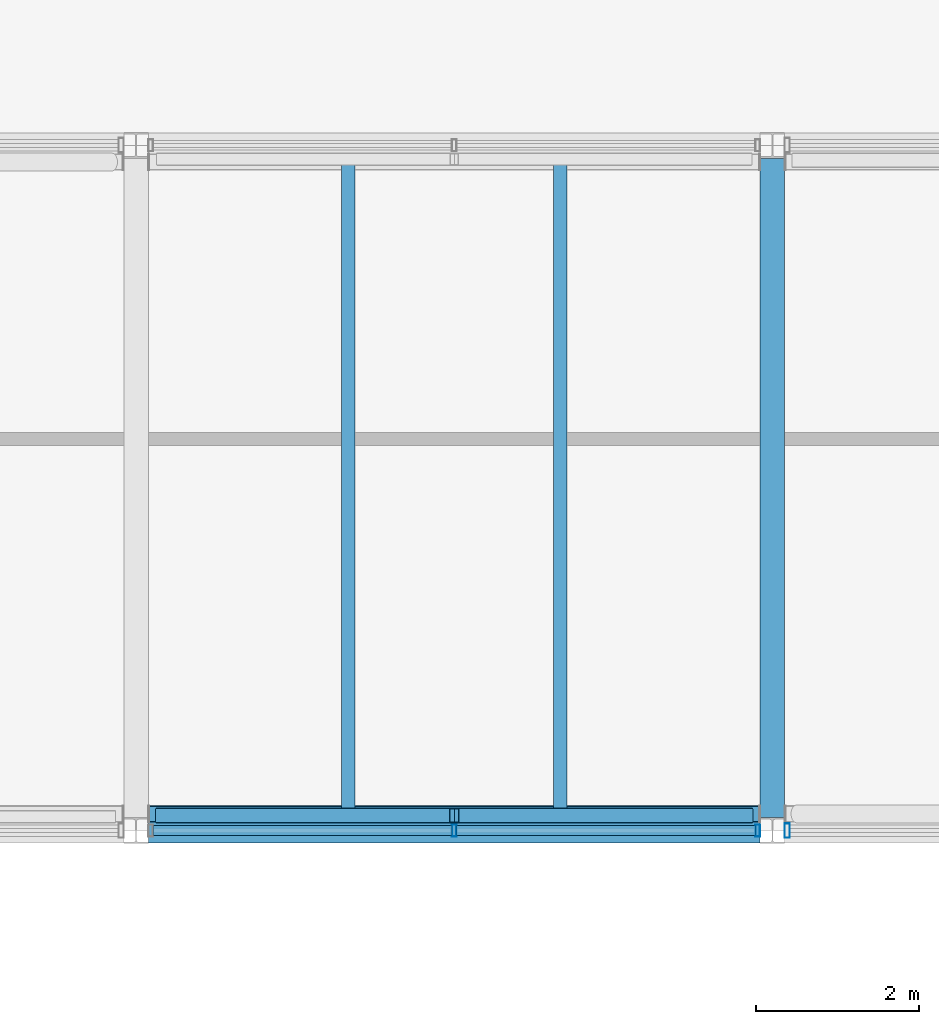
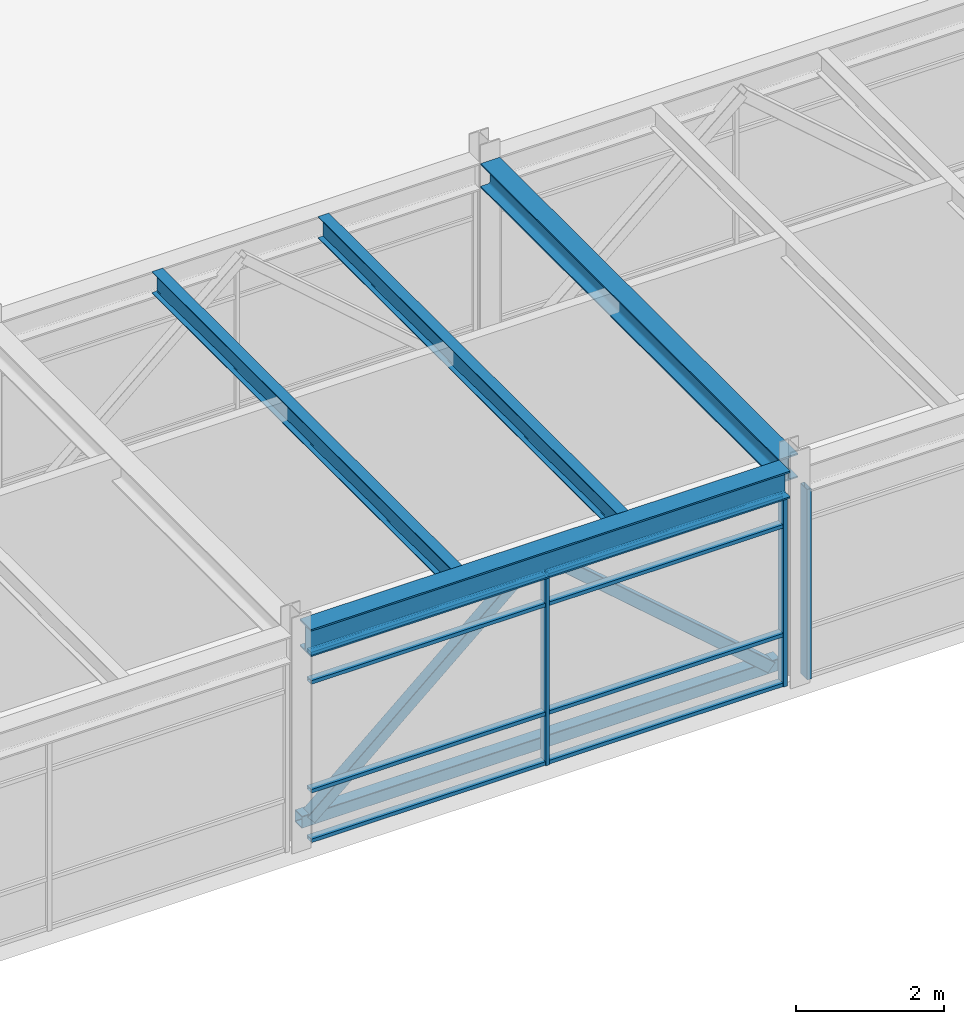
# One storey, part 15 of 72: 14 members, 4 beams, 2 elements without a shape of their own.
"""IFC4 building model written with IfcOpenShell, lengths in metres."""

import ifcopenshell
import ifcopenshell.guid

model = None  # the IFC model being written
_history = None  # IfcOwnerHistory: only IFC2X3 demands one
_inside = {}  # id of a spatial element -> (the spatial element, [elements in it])
_under = {}  # id of a project, library or spatial element -> (it, [spatial elements below it])
_declared = {}  # id of a project -> (the project, [libraries it declares])
_typed = {}  # id of a type object -> (the type object, [elements of that type])
_made_of = {}  # id of a material, layer set ... -> (it, [elements and type objects made of it])


def new_model(schema):
    """Start an empty IFC model of exactly this schema.

    Asked for "IFC4X3", IfcOpenShell would pick the latest addendum, in which some entities
    have other attributes; the version numbers below select the first issue.
    IFC2X3 requires an IfcOwnerHistory on every rooted entity: one is made here for all.
    """
    global model, _history
    if schema == "IFC4X3":
        model = ifcopenshell.file(schema_version=(4, 3, 0, 0))
    else:
        model = ifcopenshell.file(schema=schema)
    _inside.clear()
    _under.clear()
    _declared.clear()
    _typed.clear()
    _made_of.clear()
    _history = None
    if model.schema == "IFC2X3":
        org = make("IfcOrganization", Name="unknown")
        user = make(
            "IfcPersonAndOrganization",
            ThePerson=make("IfcPerson", FamilyName="unknown"),
            TheOrganization=org,
        )
        app = make(
            "IfcApplication",
            ApplicationDeveloper=org,
            Version="unknown",
            ApplicationFullName="unknown",
            ApplicationIdentifier="unknown",
        )
        _history = make(
            "IfcOwnerHistory",
            OwningUser=user,
            OwningApplication=app,
            ChangeAction="ADDED",
            CreationDate=0,
        )
    return model


def make(cls, **values):
    """One entity of the class cls with the attributes given. An attribute that is None is left unset."""
    return model.create_entity(
        cls, **{name: value for name, value in values.items() if value is not None}
    )


def rooted(cls, **values):
    """An entity with a GlobalId (a new one), such as an element, a storey or a relation."""
    return make(cls, GlobalId=ifcopenshell.guid.new(), OwnerHistory=_history, **values)


def si_unit(unit_type, name, prefix=None):
    """IfcSIUnit, for example si_unit("LENGTHUNIT", "METRE", prefix="MILLI")."""
    return make("IfcSIUnit", UnitType=unit_type, Prefix=prefix, Name=name)


def assignment(units):
    """IfcUnitAssignment: the units of a project."""
    return None if units is None else make("IfcUnitAssignment", Units=units)


def point(xyz):
    """IfcCartesianPoint."""
    return None if xyz is None else make("IfcCartesianPoint", Coordinates=xyz)


def direction(xyz):
    """IfcDirection."""
    return None if xyz is None else make("IfcDirection", DirectionRatios=xyz)


def frame(location, z_axis=None, x_axis=None):
    """IfcAxis2Placement3D, a coordinate frame: its origin and axes. An axis left out is left unset."""
    return make(
        "IfcAxis2Placement3D",
        Location=point(location),
        Axis=direction(z_axis),
        RefDirection=direction(x_axis),
    )


def frame_2d(location, x_axis=None):
    """IfcAxis2Placement2D, a coordinate frame in the plane: its origin and x axis."""
    return make(
        "IfcAxis2Placement2D", Location=point(location), RefDirection=direction(x_axis)
    )


def origin():
    """The frame at (0, 0, 0) with its axes left unset."""
    return frame((0.0, 0.0, 0.0))


def origin_2d():
    """The frame at (0, 0) in the plane with its x axis left unset."""
    return frame_2d((0.0, 0.0))


def place(relative_to, where):
    """IfcLocalPlacement: puts the frame where relative to a parent placement (None: the world)."""
    return make(
        "IfcLocalPlacement", PlacementRelTo=relative_to, RelativePlacement=where
    )


def context(
    kind, dimensions, precision=None, world=None, true_north=None, identifier=None
):
    """IfcGeometricRepresentationContext, for example the 3D "Model" context."""
    return make(
        "IfcGeometricRepresentationContext",
        ContextIdentifier=identifier,
        ContextType=kind,
        CoordinateSpaceDimension=dimensions,
        Precision=precision,
        WorldCoordinateSystem=world,
        TrueNorth=true_north,
    )


def subcontext(parent, identifier, kind, view, scale=None):
    """IfcGeometricRepresentationSubContext, for example "Body" below "Model"."""
    return make(
        "IfcGeometricRepresentationSubContext",
        ContextIdentifier=identifier,
        ContextType=kind,
        ParentContext=parent,
        TargetScale=scale,
        TargetView=view,
    )


def project(units=None, contexts=None):
    """IfcProject with its units and contexts."""
    return rooted(
        "IfcProject",
        Name="project",
        RepresentationContexts=contexts,
        UnitsInContext=assignment(units),
    )


def spatial(cls, under=None, at=None, **own):
    """A site, building, storey or space (cls), placed at a placement, below another one or the project."""
    s = rooted(cls, ObjectPlacement=at, **own)
    if under is not None:
        _under.setdefault(under.id(), (under, []))[1].append(s)
    return s


def profile(cls, at=None, kind="AREA", **sizes):
    """A parametric profile (cls). Its sizes go by their IFC names, for example OverallWidth=200.0."""
    return make(cls, ProfileType=kind, Position=at, **sizes)


def hollow_rectangle(**sizes):
    """IfcRectangleHollowProfileDef."""
    return profile("IfcRectangleHollowProfileDef", **sizes)


def i_section(**sizes):
    """IfcIShapeProfileDef."""
    return profile("IfcIShapeProfileDef", **sizes)


def extrude(swept, where, along, depth):
    """IfcExtrudedAreaSolid: the profile swept, set in the frame where, extruded along a direction by depth."""
    return make(
        "IfcExtrudedAreaSolid",
        SweptArea=swept,
        Position=where,
        ExtrudedDirection=direction(along),
        Depth=depth,
    )


def shape(context_of_items, identifier, shape_type, items):
    """IfcShapeRepresentation: the items that make up one representation, for example the "Body"."""
    return make(
        "IfcShapeRepresentation",
        ContextOfItems=context_of_items,
        RepresentationIdentifier=identifier,
        RepresentationType=shape_type,
        Items=items,
    )


def material(Name=None, Category=None):
    """IfcMaterial."""
    return make("IfcMaterial", Name=Name, Category=Category)


def material_profile(
    of_material, cross_section, Name=None, Category=None, Priority=None
):
    """IfcMaterialProfile: a cross section and its material."""
    return make(
        "IfcMaterialProfile",
        Name=Name,
        Material=of_material,
        Profile=cross_section,
        Priority=Priority,
        Category=Category,
    )


def profile_set(profiles, Name=None, composite=None):
    """IfcMaterialProfileSet."""
    return make(
        "IfcMaterialProfileSet",
        Name=Name,
        MaterialProfiles=profiles,
        CompositeProfile=composite,
    )


def made_of(thing, what):
    """Note that an element or type object is made of a material, layer set ...; save() writes the relation."""
    if what is not None:
        _made_of.setdefault(what.id(), (what, []))[1].append(thing)
    return thing


def type_object(cls, material=None, **own):
    """A type object (cls), such as IfcWallType, which elements share."""
    return made_of(rooted(cls, **own), material)


def element(
    cls,
    number,
    at=None,
    inside=None,
    cuts=None,
    type_object=None,
    material=None,
    context=None,
    identifier="Body",
    shape_type=None,
    held_by="IfcProductDefinitionShape",
    body=None,
    shapes=None,
    **own,
):
    """One element of the class cls, such as IfcWall. Its Tag is "e" and its number.

    at: its placement. inside: the storey or other place that contains it. cuts: it is an
    opening in that element (IfcRelVoidsElement). A single representation is given by context,
    identifier, shape_type and body (its items); several are given by shapes. held_by: the class
    of the entity that holds the representations. save() writes the other relations.
    """
    e = rooted(cls, Tag="e%d" % number, ObjectPlacement=at, **own)
    if body is not None:
        shapes = [shape(context, identifier, shape_type, body)]
    if shapes is not None:
        e.Representation = make(held_by, Representations=shapes)
    if inside is not None:
        _inside.setdefault(inside.id(), (inside, []))[1].append(e)
    if cuts is not None:
        rooted(
            "IfcRelVoidsElement", RelatingBuildingElement=cuts, RelatedOpeningElement=e
        )
    if type_object is not None:
        _typed.setdefault(type_object.id(), (type_object, []))[1].append(e)
    return made_of(e, material)


def aggregate(whole, parts):
    """IfcRelAggregates: a whole, such as a stair, and the parts it consists of."""
    return rooted("IfcRelAggregates", RelatingObject=whole, RelatedObjects=parts)


def save(model, path):
    """Write the relations noted so far, then the file.

    IfcRelAggregates (storeys below a building ...), IfcRelContainedInSpatialStructure (elements
    in a storey), IfcRelDefinesByType, IfcRelAssociatesMaterial and IfcRelDeclares: one each for
    every whole, place, type object, material and project.
    """
    for whole, parts in _under.values():
        aggregate(whole, parts)
    for where, things in _inside.values():
        rooted(
            "IfcRelContainedInSpatialStructure",
            RelatedElements=things,
            RelatingStructure=where,
        )
    for kind, things in _typed.values():
        rooted("IfcRelDefinesByType", RelatedObjects=things, RelatingType=kind)
    for what, things in _made_of.values():
        rooted("IfcRelAssociatesMaterial", RelatedObjects=things, RelatingMaterial=what)
    for by, libraries in _declared.values():
        rooted("IfcRelDeclares", RelatingContext=by, RelatedDefinitions=libraries)
    model.write(path)


model = new_model("IFC4")

# Units and contexts
model_context = context("Model", 3, precision=1e-05, world=origin(), true_north=direction((0.0, 1.0)))
body_context = subcontext(model_context, "Body", "Model", "MODEL_VIEW")
ifc_project = project(units=[si_unit("LENGTHUNIT", "METRE"), si_unit("AREAUNIT", "SQUARE_METRE"), si_unit("VOLUMEUNIT", "CUBIC_METRE"), si_unit("PLANEANGLEUNIT", "RADIAN"), si_unit("MASSUNIT", "GRAM", prefix="KILO"), si_unit("THERMODYNAMICTEMPERATUREUNIT", "KELVIN"), si_unit("POWERUNIT", "WATT")], contexts=[model_context])

# Site, building, storey
site_placement = place(None, origin())
site = spatial("IfcSite", under=ifc_project, at=site_placement, CompositionType="ELEMENT")
building_placement = place(site_placement, origin())
building = spatial("IfcBuilding", under=site, at=building_placement, Name="Srebrne Nadtorze General Hospital", CompositionType="ELEMENT")
storey_placement = place(building_placement, frame((0.0, 0.0, 22.199951171875)))
storey = spatial("IfcBuildingStorey", under=building, at=storey_placement, Name="L05", CompositionType="ELEMENT", Elevation=22.199951171875)

# Beams
ifc_material_1 = material(Name="Steel S355J2", Category="steel")
ifc_material_profile_1 = material_profile(ifc_material_1, i_section(OverallWidth=0.300048828125, OverallDepth=0.39990234375, WebThickness=0.013427734375, FlangeThickness=0.02392578125, FilletRadius=0.027099609375, at=origin_2d()), Name="HEB-400")
ifc_profile_set_1 = profile_set([ifc_material_profile_1], Name="Steel S355J2")
beam_type_1 = type_object("IfcBeamType", Name="Courtyard bridge girder HEB 400", PredefinedType="BEAM", material=ifc_profile_set_1)
beam_1_placement = place(storey_placement, frame((78.0, 50.56005859375, 3.400146484375), z_axis=(0.0, 1.0, 0.0), x_axis=(-1.0, 0.0, 0.0)))
element("IfcBeam", 1, at=beam_1_placement, inside=storey, type_object=beam_type_1, Name="Beam BM-L05-Y-1090", PredefinedType="BEAM", context=body_context, shape_type="SweptSolid", body=[
    extrude(i_section(OverallWidth=0.300048828125, OverallDepth=0.39990234375, WebThickness=0.013427734375, FlangeThickness=0.02392578125, FilletRadius=0.027099609375, at=origin_2d()), origin(), (0.0, 0.0, 1.0), 8.079833984375),
])
ifc_material_2 = material(Name="Steel S355J2", Category="steel")
ifc_material_profile_2 = material_profile(ifc_material_2, i_section(OverallWidth=0.300048828125, OverallDepth=0.449951171875, WebThickness=0.013916015625, FlangeThickness=0.02587890625, FilletRadius=0.027099609375, at=origin_2d()), Name="HEB-450")
ifc_profile_set_2 = profile_set([ifc_material_profile_2], Name="Steel S355J2")
beam_type_2 = type_object("IfcBeamType", Name="Courtyard bridge girder HEB 450", PredefinedType="BEAM", material=ifc_profile_set_2)
beam_2_placement = place(storey_placement, frame((70.35009765625, 50.39990234375, 3.375), z_axis=(1.0, 0.0, 0.0), x_axis=(0.0, 1.0, 0.0)))
element("IfcBeam", 2, at=beam_2_placement, inside=storey, type_object=beam_type_2, Name="Beam BM-L05-X-1024", PredefinedType="BEAM", context=body_context, shape_type="SweptSolid", body=[
    extrude(i_section(OverallWidth=0.300048828125, OverallDepth=0.449951171875, WebThickness=0.013916015625, FlangeThickness=0.02587890625, FilletRadius=0.027099609375, at=origin_2d()), origin(), (0.0, 0.0, 1.0), 7.5),
])

# Curtain wall, members
ifc_material_3 = material(Name="Anodised Aluminium", Category="aluminium")
curtain_wall_type = type_object("IfcCurtainWallType", Name="Bridge curtain wall 7500x3150", PredefinedType="NOTDEFINED", material=ifc_material_3)
curtain_wall_1_placement = place(storey_placement, origin())
curtain_wall_1 = element("IfcCurtainWall", 3, at=curtain_wall_1_placement, inside=storey, type_object=curtain_wall_type, Name="Curtain wall CW-120", PredefinedType="NOTDEFINED")
ifc_material_4 = material(Name="Anodised Aluminium", Category="aluminium")
ifc_material_profile_3 = material_profile(ifc_material_4, hollow_rectangle(XDim=0.06005859375, YDim=0.14990234375, WallThickness=0.00390625, at=origin_2d()), Name="AL-MUL-60x150")
ifc_profile_set_3 = profile_set([ifc_material_profile_3], Name="Anodised Aluminium")
member_type_1 = type_object("IfcMemberType", Name="Curtain mullion 60x150", PredefinedType="MULLION", material=ifc_profile_set_3)
member_1_placement = place(storey_placement, frame((74.10009765625, 50.39990234375, 0.0), z_axis=(0.0, 0.0, 1.0), x_axis=(1.0, 0.0, 0.0)))
member_1 = element("IfcMember", 4, at=member_1_placement, type_object=member_type_1, Name="CW-120 mullion 2", PredefinedType="MULLION", context=body_context, shape_type="SweptSolid", body=[
    extrude(hollow_rectangle(XDim=0.06005859375, YDim=0.14990234375, WallThickness=0.00390625, at=origin_2d()), origin(), (0.0, 0.0, 1.0), 3.150146484375),
])
member_2_placement = place(storey_placement, frame((77.820068359375, 50.39990234375, 0.0), z_axis=(0.0, 0.0, 1.0), x_axis=(1.0, 0.0, 0.0)))
member_2 = element("IfcMember", 5, at=member_2_placement, type_object=member_type_1, Name="CW-120 mullion 3", PredefinedType="MULLION", context=body_context, shape_type="SweptSolid", body=[
    extrude(hollow_rectangle(XDim=0.06005859375, YDim=0.14990234375, WallThickness=0.00390625, at=origin_2d()), origin(), (0.0, 0.0, 1.0), 3.150146484375),
])

# Curtain wall, member
curtain_wall_2_placement = place(storey_placement, origin())
curtain_wall_2 = element("IfcCurtainWall", 6, at=curtain_wall_2_placement, inside=storey, type_object=curtain_wall_type, Name="Curtain wall CW-121", PredefinedType="NOTDEFINED")
ifc_material_5 = material(Name="Anodised Aluminium", Category="aluminium")
ifc_material_profile_4 = material_profile(ifc_material_5, hollow_rectangle(XDim=0.06494140625, YDim=0.179931640625, WallThickness=0.00390625, at=origin_2d()), Name="AL-MUL-65x180")
ifc_profile_set_4 = profile_set([ifc_material_profile_4], Name="Anodised Aluminium")
member_type_2 = type_object("IfcMemberType", Name="Curtain mullion 65x180", PredefinedType="MULLION", material=ifc_profile_set_4)
member_3_placement = place(storey_placement, frame((78.1826171875, 50.39990234375, 0.0), z_axis=(0.0, 0.0, 1.0), x_axis=(1.0, 0.0, 0.0)))
member_3 = element("IfcMember", 7, at=member_3_placement, type_object=member_type_2, Name="CW-121 mullion 1", PredefinedType="MULLION", context=body_context, shape_type="SweptSolid", body=[
    extrude(hollow_rectangle(XDim=0.06494140625, YDim=0.179931640625, WallThickness=0.00390625, at=origin_2d()), origin(), (0.0, 0.0, 1.0), 3.150146484375),
])
aggregate(curtain_wall_2, [member_3])

# Member
ifc_material_6 = material(Name="Anodised Aluminium", Category="aluminium")
ifc_material_profile_5 = material_profile(ifc_material_6, hollow_rectangle(XDim=0.06005859375, YDim=0.1201171875, WallThickness=0.00390625, at=origin_2d()), Name="AL-TRN-60x120")
ifc_profile_set_5 = profile_set([ifc_material_profile_5], Name="Anodised Aluminium")
member_type_3 = type_object("IfcMemberType", Name="Curtain transom 60x120", PredefinedType="USERDEFINED", material=ifc_profile_set_5)
member_4_placement = place(storey_placement, frame((70.409912109375, 50.39990234375, 0.030029296875), z_axis=(1.0, 0.0, 0.0), x_axis=(0.0, 0.0, 1.0)))
member_4 = element("IfcMember", 8, at=member_4_placement, type_object=member_type_3, Name="CW-120 transom 1.1", ObjectType="TRANSOM", PredefinedType="USERDEFINED", context=body_context, shape_type="SweptSolid", body=[
    extrude(hollow_rectangle(XDim=0.06005859375, YDim=0.1201171875, WallThickness=0.00390625, at=origin_2d()), origin(), (0.0, 0.0, 1.0), 3.66015625),
])

member_5_placement = place(storey_placement, frame((70.409912109375, 50.39990234375, 0.85009765625), z_axis=(1.0, 0.0, 0.0), x_axis=(0.0, 0.0, 1.0)))
member_5 = element("IfcMember", 9, at=member_5_placement, type_object=member_type_3, Name="CW-120 transom 1.2", ObjectType="TRANSOM", PredefinedType="USERDEFINED", context=body_context, shape_type="SweptSolid", body=[
    extrude(hollow_rectangle(XDim=0.06005859375, YDim=0.1201171875, WallThickness=0.00390625, at=origin_2d()), origin(), (0.0, 0.0, 1.0), 3.66015625),
])

member_6_placement = place(storey_placement, frame((70.409912109375, 50.39990234375, 2.650146484375), z_axis=(1.0, 0.0, 0.0), x_axis=(0.0, 0.0, 1.0)))
member_6 = element("IfcMember", 10, at=member_6_placement, type_object=member_type_3, Name="CW-120 transom 1.3", ObjectType="TRANSOM", PredefinedType="USERDEFINED", context=body_context, shape_type="SweptSolid", body=[
    extrude(hollow_rectangle(XDim=0.06005859375, YDim=0.1201171875, WallThickness=0.00390625, at=origin_2d()), origin(), (0.0, 0.0, 1.0), 3.66015625),
])

member_7_placement = place(storey_placement, frame((70.409912109375, 50.39990234375, 3.1201171875), z_axis=(1.0, 0.0, 0.0), x_axis=(0.0, 0.0, 1.0)))
member_7 = element("IfcMember", 11, at=member_7_placement, type_object=member_type_3, Name="CW-120 transom 1.4", ObjectType="TRANSOM", PredefinedType="USERDEFINED", context=body_context, shape_type="SweptSolid", body=[
    extrude(hollow_rectangle(XDim=0.06005859375, YDim=0.1201171875, WallThickness=0.00390625, at=origin_2d()), origin(), (0.0, 0.0, 1.0), 3.66015625),
])

member_8_placement = place(storey_placement, frame((74.1298828125, 50.39990234375, 0.030029296875), z_axis=(1.0, 0.0, 0.0), x_axis=(0.0, 0.0, 1.0)))
member_8 = element("IfcMember", 12, at=member_8_placement, type_object=member_type_3, Name="CW-120 transom 2.1", ObjectType="TRANSOM", PredefinedType="USERDEFINED", context=body_context, shape_type="SweptSolid", body=[
    extrude(hollow_rectangle(XDim=0.06005859375, YDim=0.1201171875, WallThickness=0.00390625, at=origin_2d()), origin(), (0.0, 0.0, 1.0), 3.66015625),
])

member_9_placement = place(storey_placement, frame((74.1298828125, 50.39990234375, 0.85009765625), z_axis=(1.0, 0.0, 0.0), x_axis=(0.0, 0.0, 1.0)))
member_9 = element("IfcMember", 13, at=member_9_placement, type_object=member_type_3, Name="CW-120 transom 2.2", ObjectType="TRANSOM", PredefinedType="USERDEFINED", context=body_context, shape_type="SweptSolid", body=[
    extrude(hollow_rectangle(XDim=0.06005859375, YDim=0.1201171875, WallThickness=0.00390625, at=origin_2d()), origin(), (0.0, 0.0, 1.0), 3.66015625),
])

member_10_placement = place(storey_placement, frame((74.1298828125, 50.39990234375, 2.650146484375), z_axis=(1.0, 0.0, 0.0), x_axis=(0.0, 0.0, 1.0)))
member_10 = element("IfcMember", 14, at=member_10_placement, type_object=member_type_3, Name="CW-120 transom 2.3", ObjectType="TRANSOM", PredefinedType="USERDEFINED", context=body_context, shape_type="SweptSolid", body=[
    extrude(hollow_rectangle(XDim=0.06005859375, YDim=0.1201171875, WallThickness=0.00390625, at=origin_2d()), origin(), (0.0, 0.0, 1.0), 3.66015625),
])

member_11_placement = place(storey_placement, frame((74.1298828125, 50.39990234375, 3.1201171875), z_axis=(1.0, 0.0, 0.0), x_axis=(0.0, 0.0, 1.0)))
member_11 = element("IfcMember", 15, at=member_11_placement, type_object=member_type_3, Name="CW-120 transom 2.4", ObjectType="TRANSOM", PredefinedType="USERDEFINED", context=body_context, shape_type="SweptSolid", body=[
    extrude(hollow_rectangle(XDim=0.06005859375, YDim=0.1201171875, WallThickness=0.00390625, at=origin_2d()), origin(), (0.0, 0.0, 1.0), 3.66015625),
])

aggregate(curtain_wall_1, [member_1, member_2, member_4, member_5, member_6, member_7, member_8, member_9, member_10, member_11])

# Beams
ifc_material_7 = material(Name="Steel S355J2", Category="steel")
ifc_material_profile_6 = material_profile(ifc_material_7, i_section(OverallWidth=0.169921875, OverallDepth=0.360107421875, WebThickness=0.008056640625, FlangeThickness=0.0126953125, FilletRadius=0.01806640625, at=origin_2d()), Name="IPE-360")
ifc_profile_set_6 = profile_set([ifc_material_profile_6], Name="Steel S355J2")
beam_type_3 = type_object("IfcBeamType", Name="Deck joist IPE 360", PredefinedType="JOIST", material=ifc_profile_set_6)
for number, where, z_axis, x_axis, name in (
    (16, (72.800048828125, 50.544921875, 3.420166015625), (0.0, 1.0, 0.0), (-1.0, 0.0, 0.0), "Clinical courtyard bridge deck joist 156"),
    (17, (75.39990234375, 50.544921875, 3.420166015625), (0.0, 1.0, 0.0), (-1.0, 0.0, 0.0), "Clinical courtyard bridge deck joist 157"),
):
    element("IfcBeam", number, at=place(storey_placement, frame(where, z_axis=z_axis, x_axis=x_axis)), inside=storey, type_object=beam_type_3, Name=name, PredefinedType="JOIST", context=body_context, shape_type="SweptSolid", body=[
        extrude(i_section(OverallWidth=0.169921875, OverallDepth=0.360107421875, WebThickness=0.008056640625, FlangeThickness=0.0126953125, FilletRadius=0.01806640625, at=origin_2d()), origin(), (0.0, 0.0, 1.0), 8.110107421875),
    ])

# Members
ifc_material_8 = material(Name="Steel S355J2", Category="steel")
ifc_material_profile_7 = material_profile(ifc_material_8, hollow_rectangle(XDim=0.179931640625, YDim=0.179931640625, WallThickness=0.008056640625, InnerFilletRadius=0.008056640625, OuterFilletRadius=0.011962890625, at=origin_2d()), Name="SHS-180x180x8")
ifc_profile_set_7 = profile_set([ifc_material_profile_7], Name="Steel S355J2")
member_type_4 = type_object("IfcMemberType", Name="Diagonal brace SHS 180x180x8", PredefinedType="BRACE", material=ifc_profile_set_7)
for number, where, z_axis, x_axis, name in (
    (18, (70.5, 50.5849609375, 0.25), (0.754646285498, 0.0, 0.656131834149), (0.0, 1.0, 0.0), "Clinical courtyard bridge brace 5"),
    (19, (77.699951171875, 50.5849609375, 0.25), (-0.754624252348, 0.0, 0.656157174592), (0.0, -1.0, 0.0), "Clinical courtyard bridge brace 6"),
):
    element("IfcMember", number, at=place(storey_placement, frame(where, z_axis=z_axis, x_axis=x_axis)), inside=storey, type_object=member_type_4, Name=name, PredefinedType="BRACE", context=body_context, shape_type="SweptSolid", body=[
        extrude(hollow_rectangle(XDim=0.179931640625, YDim=0.179931640625, WallThickness=0.008056640625, InnerFilletRadius=0.008056640625, OuterFilletRadius=0.011962890625, at=origin_2d()), origin(), (0.0, 0.0, 1.0), 4.7705078125),
    ])
ifc_material_9 = material(Name="Steel S355J2", Category="steel")
ifc_material_profile_8 = material_profile(ifc_material_9, hollow_rectangle(XDim=0.199951171875, YDim=0.199951171875, WallThickness=0.010009765625, InnerFilletRadius=0.010009765625, OuterFilletRadius=0.014892578125, at=origin_2d()), Name="SHS-200x200x10")
ifc_profile_set_8 = profile_set([ifc_material_profile_8], Name="Steel S355J2")
member_type_5 = type_object("IfcMemberType", Name="Truss chord SHS 200x200x10", PredefinedType="CHORD", material=ifc_profile_set_8)
member_12_placement = place(storey_placement, frame((70.362060546875, 50.60498046875, 0.25), z_axis=(1.0, 0.0, 0.0), x_axis=(0.0, 1.0, 0.0)))
element("IfcMember", 20, at=member_12_placement, inside=storey, type_object=member_type_5, Name="Clinical courtyard bridge truss chord 3", PredefinedType="CHORD", context=body_context, shape_type="SweptSolid", body=[
    extrude(hollow_rectangle(XDim=0.199951171875, YDim=0.199951171875, WallThickness=0.010009765625, InnerFilletRadius=0.010009765625, OuterFilletRadius=0.014892578125, at=origin_2d()), origin(), (0.0, 0.0, 1.0), 7.475830078125),
])

save(model, "model.ifc")
